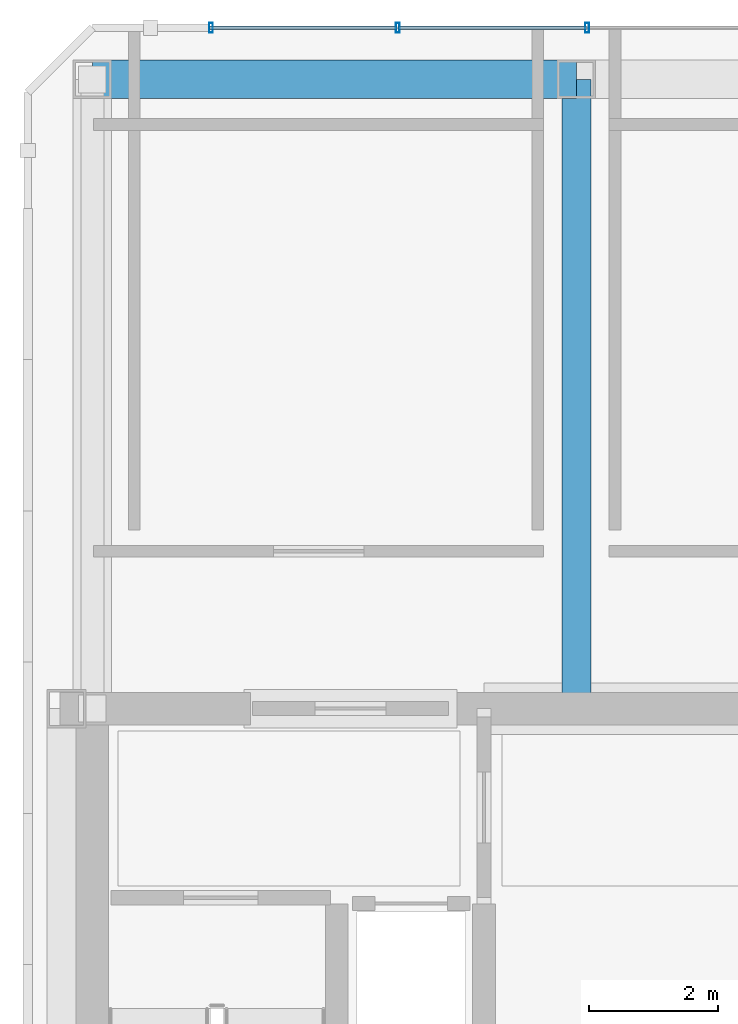
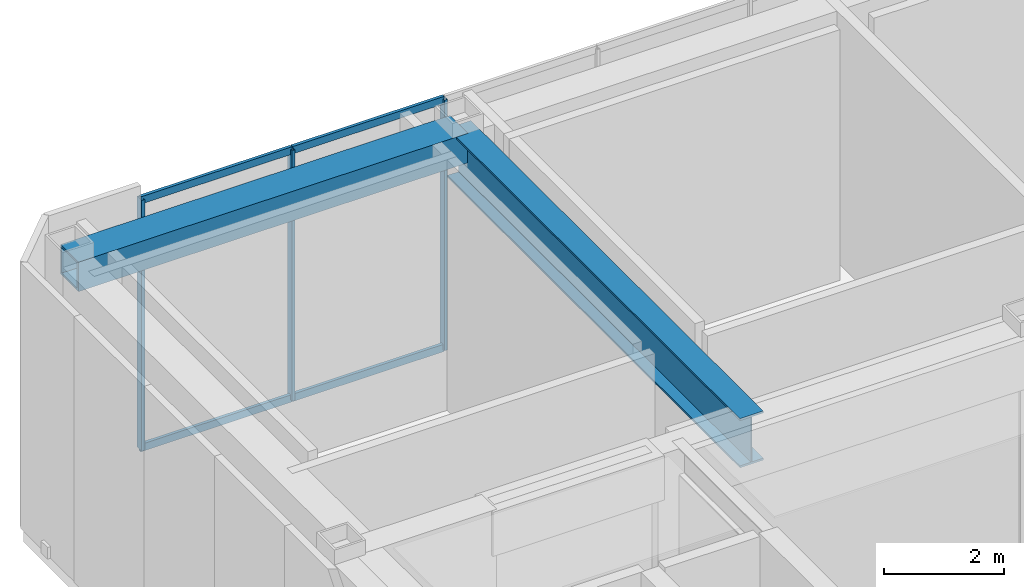
# One storey, part 2 of 9: 7 members, 2 beams, 1 element without a shape of its own.
"""IFC4 building model written with IfcOpenShell, lengths in metres."""

from ifc_helpers import new_model, si_unit, direction, frame, origin, origin_2d, place, context, subcontext, project, spatial, hollow_rectangle, i_section, extrude, material, material_profile, profile_set, type_object, element, aggregate, save


model = new_model("IFC4")

# Units and contexts
model_context = context("Model", 3, precision=1e-05, world=origin(), true_north=direction((0.0, 1.0)))
body_context = subcontext(model_context, "Body", "Model", "MODEL_VIEW")
ifc_project = project(units=[si_unit("LENGTHUNIT", "METRE"), si_unit("AREAUNIT", "SQUARE_METRE"), si_unit("VOLUMEUNIT", "CUBIC_METRE"), si_unit("PLANEANGLEUNIT", "RADIAN"), si_unit("MASSUNIT", "GRAM", prefix="KILO")], contexts=[model_context])

# Site, building, storey
site_placement = place(None, origin())
site = spatial("IfcSite", under=ifc_project, at=site_placement, CompositionType="ELEMENT")
building_placement = place(site_placement, origin())
building = spatial("IfcBuilding", under=site, at=building_placement, Name="Ventersveld Concourse Tower", CompositionType="ELEMENT")
storey_placement = place(building_placement, frame((0.0, 0.0, 377.449951171875)))
storey = spatial("IfcBuildingStorey", under=building, at=storey_placement, Name="L92", CompositionType="ELEMENT", Elevation=377.449951171875)

# Curtain wall, members
ifc_material_1 = material(Name="Anodised aluminium EN AW-6063-T6", Category="aluminium")
curtain_wall_type = type_object("IfcCurtainWallType", Name="CW-CRN-6", PredefinedType="NOTDEFINED", material=ifc_material_1)
curtain_wall_placement = place(storey_placement, origin())
curtain_wall = element("IfcCurtainWall", 1, at=curtain_wall_placement, inside=storey, type_object=curtain_wall_type, Name="L92 L92 Crown North Glazed Curtain Wall", PredefinedType="NOTDEFINED")
ifc_material_profile_1 = material_profile(ifc_material_1, hollow_rectangle(XDim=0.06005859375, YDim=0.14990234375, WallThickness=0.00390625, at=origin_2d()), Name="ALU 150x60x4")
ifc_profile_set_1 = profile_set([ifc_material_profile_1], Name="Anodised aluminium EN AW-6063-T6")
member_type_1 = type_object("IfcMemberType", Name="CWM-150x65", PredefinedType="MULLION", material=ifc_profile_set_1)
member_1_placement = place(storey_placement, frame((21.416748046875, 22.0, 0.0), z_axis=(0.0, 0.0, 1.0), x_axis=(1.0, 0.0, 0.0)))
member_1 = element("IfcMember", 2, at=member_1_placement, type_object=member_type_1, Name="CW-L92-N Mullion 08", PredefinedType="MULLION", context=body_context, shape_type="SweptSolid", body=[
    extrude(hollow_rectangle(XDim=0.06005859375, YDim=0.14990234375, WallThickness=0.00390625, at=origin_2d()), origin(), (0.0, 0.0, 1.0), 5.10009765625),
])
member_2_placement = place(storey_placement, frame((18.4833984375, 22.0, 0.0), z_axis=(0.0, 0.0, 1.0), x_axis=(1.0, 0.0, 0.0)))
member_2 = element("IfcMember", 3, at=member_2_placement, type_object=member_type_1, Name="CW-L92-N Mullion 09", PredefinedType="MULLION", context=body_context, shape_type="SweptSolid", body=[
    extrude(hollow_rectangle(XDim=0.06005859375, YDim=0.14990234375, WallThickness=0.00390625, at=origin_2d()), origin(), (0.0, 0.0, 1.0), 5.10009765625),
])
member_3_placement = place(storey_placement, frame((15.590087890625, 22.0, 0.0), z_axis=(0.0, 0.0, 1.0), x_axis=(1.0, 0.0, 0.0)))
member_3 = element("IfcMember", 4, at=member_3_placement, type_object=member_type_1, Name="CW-L92-N Mullion 10", PredefinedType="MULLION", context=body_context, shape_type="SweptSolid", body=[
    extrude(hollow_rectangle(XDim=0.06005859375, YDim=0.14990234375, WallThickness=0.00390625, at=origin_2d()), origin(), (0.0, 0.0, 1.0), 5.10009765625),
])
ifc_material_profile_2 = material_profile(ifc_material_1, hollow_rectangle(XDim=0.06005859375, YDim=0.14990234375, WallThickness=0.00390625, at=origin_2d()), Name="ALU 150x60x4")
ifc_profile_set_2 = profile_set([ifc_material_profile_2], Name="Anodised aluminium EN AW-6063-T6")
member_type_2 = type_object("IfcMemberType", Name="CWT-150x60", PredefinedType="USERDEFINED", material=ifc_profile_set_2)
member_4_placement = place(storey_placement, frame((21.40673828125, 22.0, 0.030029296875), z_axis=(-1.0, 0.0, 0.0), x_axis=(0.0, -1.0, 0.0)))
member_4 = element("IfcMember", 5, at=member_4_placement, type_object=member_type_2, Name="CW-L92-N Transom 1-08", ObjectType="TRANSOM", PredefinedType="USERDEFINED", context=body_context, shape_type="SweptSolid", body=[
    extrude(hollow_rectangle(XDim=0.06005859375, YDim=0.14990234375, WallThickness=0.00390625, at=origin_2d()), origin(), (0.0, 0.0, 1.0), 2.913330078125),
])
member_5_placement = place(storey_placement, frame((18.473388671875, 22.0, 0.030029296875), z_axis=(-1.0, 0.0, 0.0), x_axis=(0.0, -1.0, 0.0)))
member_5 = element("IfcMember", 6, at=member_5_placement, type_object=member_type_2, Name="CW-L92-N Transom 1-09", ObjectType="TRANSOM", PredefinedType="USERDEFINED", context=body_context, shape_type="SweptSolid", body=[
    extrude(hollow_rectangle(XDim=0.06005859375, YDim=0.14990234375, WallThickness=0.00390625, at=origin_2d()), origin(), (0.0, 0.0, 1.0), 2.9033203125),
])
member_6_placement = place(storey_placement, frame((21.40673828125, 22.0, 5.070068359375), z_axis=(-1.0, 0.0, 0.0), x_axis=(0.0, -1.0, 0.0)))
member_6 = element("IfcMember", 7, at=member_6_placement, type_object=member_type_2, Name="CW-L92-N Transom 2-08", ObjectType="TRANSOM", PredefinedType="USERDEFINED", context=body_context, shape_type="SweptSolid", body=[
    extrude(hollow_rectangle(XDim=0.06005859375, YDim=0.14990234375, WallThickness=0.00390625, at=origin_2d()), origin(), (0.0, 0.0, 1.0), 2.913330078125),
])
member_7_placement = place(storey_placement, frame((18.473388671875, 22.0, 5.070068359375), z_axis=(-1.0, 0.0, 0.0), x_axis=(0.0, -1.0, 0.0)))
member_7 = element("IfcMember", 8, at=member_7_placement, type_object=member_type_2, Name="CW-L92-N Transom 2-09", ObjectType="TRANSOM", PredefinedType="USERDEFINED", context=body_context, shape_type="SweptSolid", body=[
    extrude(hollow_rectangle(XDim=0.06005859375, YDim=0.14990234375, WallThickness=0.00390625, at=origin_2d()), origin(), (0.0, 0.0, 1.0), 2.9033203125),
])
aggregate(curtain_wall, [member_1, member_2, member_3, member_4, member_5, member_6, member_7])

# Beams
ifc_material_2 = material(Name="Structural steel S355ML", Category="steel")
ifc_material_profile_3 = material_profile(ifc_material_2, hollow_rectangle(XDim=0.60009765625, YDim=0.60009765625, WallThickness=0.0400390625, at=origin_2d()), Name="BOX 600x600x40")
ifc_profile_set_3 = profile_set([ifc_material_profile_3], Name="Structural steel S355ML")
beam_type_1 = type_object("IfcBeamType", Name="SPD-BOX600", PredefinedType="SPANDREL", material=ifc_profile_set_3)
beam_1_placement = place(storey_placement, frame((21.25, 21.199951171875, 4.800048828125), z_axis=(-1.0, 0.0, 0.0), x_axis=(0.0, -1.0, 0.0)))
element("IfcBeam", 9, at=beam_1_placement, inside=storey, type_object=beam_type_1, Name="L92 CROWN FRAME Perimeter Ring Beam 6", PredefinedType="SPANDREL", context=body_context, shape_type="SweptSolid", body=[
    extrude(hollow_rectangle(XDim=0.60009765625, YDim=0.60009765625, WallThickness=0.0400390625, at=origin_2d()), origin(), (0.0, 0.0, 1.0), 7.5),
])
ifc_material_3 = material(Name="Structural steel S460ML", Category="steel")
ifc_material_profile_4 = material_profile(ifc_material_3, i_section(OverallWidth=0.449951171875, OverallDepth=1.0, WebThickness=0.02392578125, FlangeThickness=0.0400390625, at=origin_2d()), Name="PG 1000x450x40")
ifc_profile_set_4 = profile_set([ifc_material_profile_4], Name="Structural steel S460ML")
beam_type_2 = type_object("IfcBeamType", Name="TG-PG1000", PredefinedType="USERDEFINED", material=ifc_profile_set_4)
beam_2_placement = place(storey_placement, frame((21.25, 11.449951171875, 4.60009765625), z_axis=(0.0, 1.0, 0.0), x_axis=(-1.0, 0.0, 0.0)))
element("IfcBeam", 10, at=beam_2_placement, inside=storey, type_object=beam_type_2, Name="L92 Crown Interior Girder W", ObjectType="TRANSFER_GIRDER", PredefinedType="USERDEFINED", context=body_context, shape_type="SweptSolid", body=[
    extrude(i_section(OverallWidth=0.449951171875, OverallDepth=1.0, WebThickness=0.02392578125, FlangeThickness=0.0400390625, at=origin_2d()), origin(), (0.0, 0.0, 1.0), 9.75),
])

save(model, "model.ifc")
